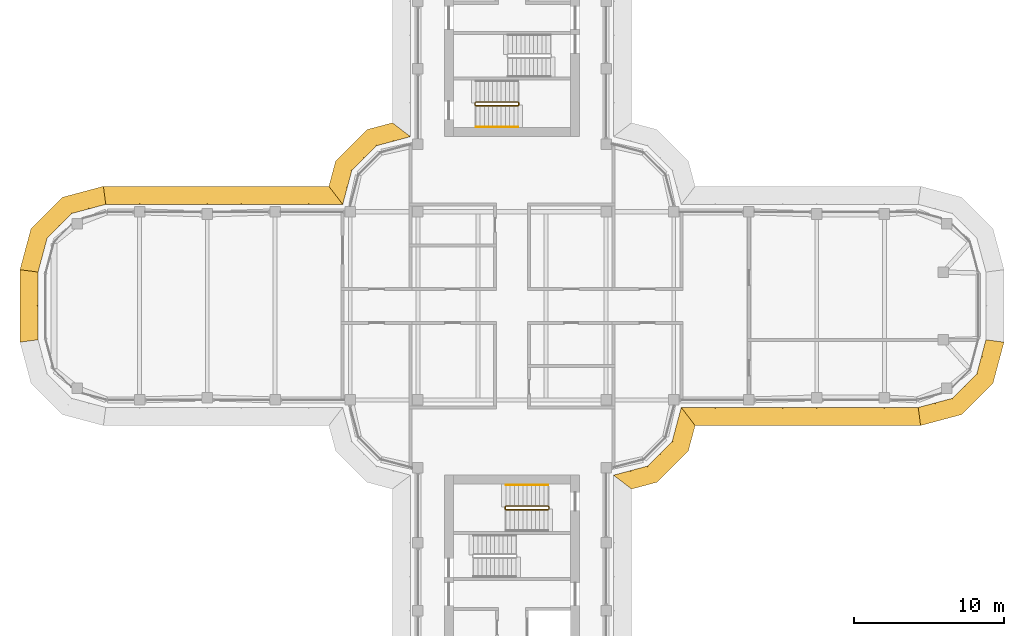
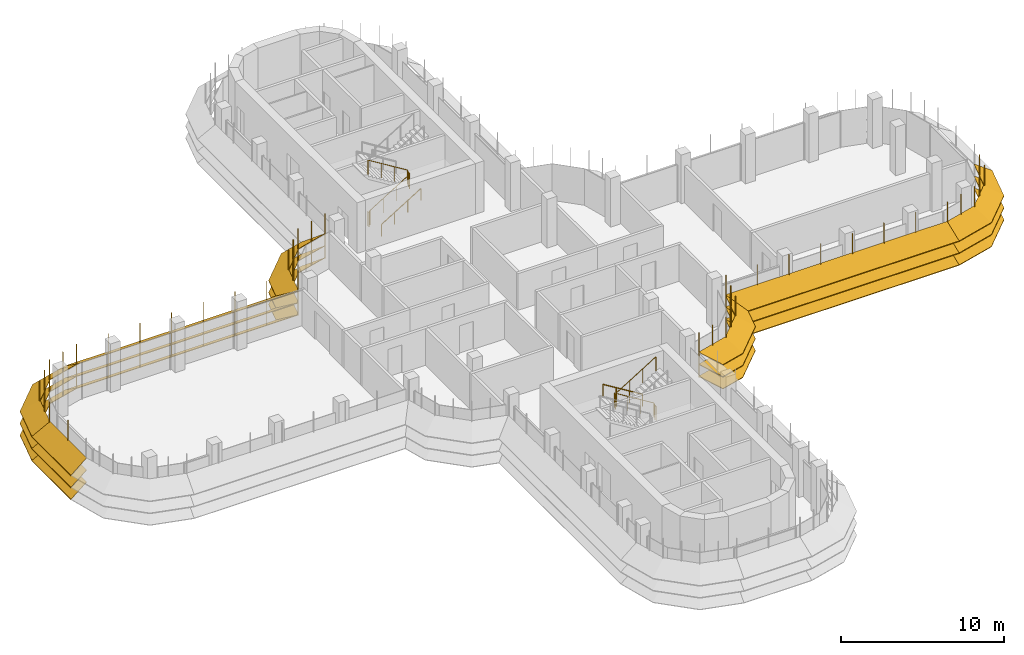
# One storey, part 17 of 19: 7 shading devices, 4 railings.
"""IFC4 building model written with IfcOpenShell, lengths in metres."""

from ifc_helpers import new_model, si_unit, direction, frame, origin, origin_2d, place, context, subcontext, project, spatial, polyline, circle, outline, extrude, faceted_brep, source, transform, mapped, material, type_object, element, save


model = new_model("IFC4")

# Units and contexts
model_context = context("Model", 3, precision=1e-05, world=origin(), true_north=direction((0.0, 1.0)))
body_context = subcontext(model_context, "Body", "Model", "MODEL_VIEW")
ifc_project = project(units=[si_unit("LENGTHUNIT", "METRE"), si_unit("AREAUNIT", "SQUARE_METRE"), si_unit("VOLUMEUNIT", "CUBIC_METRE"), si_unit("PLANEANGLEUNIT", "RADIAN"), si_unit("MASSUNIT", "GRAM", prefix="KILO")], contexts=[model_context])

# Site, building, storey
site_placement = place(None, origin())
site = spatial("IfcSite", under=ifc_project, at=site_placement, CompositionType="ELEMENT")
building_placement = place(site_placement, origin())
building = spatial("IfcBuilding", under=site, at=building_placement, Name="Zarbagh Exchange Tower", CompositionType="ELEMENT")
storey_placement = place(building_placement, frame((0.0, 0.0, 225.800048828125)))
storey = spatial("IfcBuildingStorey", under=building, at=storey_placement, Name="L55", CompositionType="ELEMENT", Elevation=225.800048828125)

# Railings
ifc_material_1 = material(Name="Stainless steel", Category="steel")
railing_type_1 = type_object("IfcRailingType", Name="Stair guard 1100 mm", PredefinedType="GUARDRAIL", material=ifc_material_1)
railing_1_placement = place(storey_placement, frame((-2.449951171875, 13.5, 0.0)))
element("IfcRailing", 1, at=railing_1_placement, inside=storey, type_object=railing_type_1, Name="ST2 stair guard 1", PredefinedType="GUARDRAIL", context=body_context, shape_type="SweptSolid", body=[
    extrude(circle(Radius=0.02392578125, at=origin_2d()), frame((0.0, 0.0, 1.076171875), z_axis=(0.0, -1.0, 0.0), x_axis=(1.0, 0.0, 0.0)), (0.0, 0.0, 1.0), 0.14990234375),
    extrude(circle(Radius=0.02392578125, at=origin_2d()), frame((0.0, -0.14990234375, 1.076171875), z_axis=(0.268277960024, -0.268277960024, 0.925231793839), x_axis=(0.707106781187, 0.707106781187, 0.0)), (0.0, 0.0, 1.0), 0.1865234375),
    extrude(circle(Radius=0.02392578125, at=origin_2d()), frame((0.050048828125, -0.199951171875, 1.24853515625), z_axis=(0.851069175582, 0.0, 0.525053576669), x_axis=(0.0, 1.0, 0.0)), (0.0, 0.0, 1.0), 3.289794921875),
    extrude(circle(Radius=0.02392578125, at=origin_2d()), frame((2.849853515625, -0.199951171875, 2.97607421875), z_axis=(0.707106781187, 0.707106781187, 0.0), x_axis=(-0.707106781187, 0.707106781187, 0.0)), (0.0, 0.0, 1.0), 0.07080078125),
    extrude(circle(Radius=0.02392578125, at=origin_2d()), frame((2.89990234375, -0.14990234375, 2.97607421875), z_axis=(0.0, 1.0, 0.0), x_axis=(-1.0, 0.0, 0.0)), (0.0, 0.0, 1.0), 0.14990234375),
    extrude(circle(Radius=0.02392578125, at=origin_2d()), frame((2.89990234375, 0.0, 2.97607421875), z_axis=(-0.267953482034, 0.267953482034, 0.925419830635), x_axis=(-0.707106781187, -0.707106781187, 0.0)), (0.0, 0.0, 1.0), 0.186767578125),
    extrude(circle(Radius=0.02392578125, at=origin_2d()), frame((2.849853515625, 0.050048828125, 3.14892578125), z_axis=(-0.851069175582, 0.0, 0.525053576669), x_axis=(0.0, -1.0, 0.0)), (0.0, 0.0, 1.0), 3.289794921875),
    extrude(circle(Radius=0.02099609375, at=origin_2d()), origin(), (0.0, 0.0, 1.0), 1.052001953125),
    extrude(circle(Radius=0.02099609375, at=origin_2d()), frame((0.0, -0.14990234375, 0.0)), (0.0, 0.0, 1.0), 1.052001953125),
    extrude(circle(Radius=0.02099609375, at=origin_2d()), frame((0.050048828125, -0.199951171875, 0.172607421875)), (0.0, 0.0, 1.0), 1.052001953125),
    extrude(circle(Radius=0.02099609375, at=origin_2d()), frame((0.9833984375, -0.199951171875, 0.748291015625)), (0.0, 0.0, 1.0), 1.052001953125),
    extrude(circle(Radius=0.02099609375, at=origin_2d()), frame((1.91650390625, -0.199951171875, 1.32421875)), (0.0, 0.0, 1.0), 1.052001953125),
    extrude(circle(Radius=0.02099609375, at=origin_2d()), frame((2.849853515625, -0.199951171875, 1.89990234375)), (0.0, 0.0, 1.0), 1.052001953125),
    extrude(circle(Radius=0.02099609375, at=origin_2d()), frame((2.89990234375, -0.14990234375, 1.89990234375)), (0.0, 0.0, 1.0), 1.052001953125),
    extrude(circle(Radius=0.02099609375, at=origin_2d()), frame((2.89990234375, 0.0, 1.89990234375)), (0.0, 0.0, 1.0), 1.052001953125),
    extrude(circle(Radius=0.02099609375, at=origin_2d()), frame((2.849853515625, 0.050048828125, 2.07275390625)), (0.0, 0.0, 1.0), 1.052001953125),
    extrude(circle(Radius=0.02099609375, at=origin_2d()), frame((1.91650390625, 0.050048828125, 2.6484375)), (0.0, 0.0, 1.0), 1.052001953125),
    extrude(circle(Radius=0.02099609375, at=origin_2d()), frame((0.9833984375, 0.050048828125, 3.224365234375)), (0.0, 0.0, 1.0), 1.052001953125),
    extrude(circle(Radius=0.02099609375, at=origin_2d()), frame((0.050048828125, 0.050048828125, 3.800048828125)), (0.0, 0.0, 1.0), 1.052001953125),
])
railing_2_placement = place(storey_placement, frame((2.449951171875, -13.5, 0.0)))
element("IfcRailing", 2, at=railing_2_placement, inside=storey, type_object=railing_type_1, Name="ST4 stair guard 1", PredefinedType="GUARDRAIL", context=body_context, shape_type="SweptSolid", body=[
    extrude(circle(Radius=0.02392578125, at=origin_2d()), frame((0.0, 0.0, 1.076171875), z_axis=(0.0, 1.0, 0.0), x_axis=(-1.0, 0.0, 0.0)), (0.0, 0.0, 1.0), 0.14990234375),
    extrude(circle(Radius=0.02392578125, at=origin_2d()), frame((0.0, 0.14990234375, 1.076171875), z_axis=(-0.268277960024, 0.268277960024, 0.925231793839), x_axis=(-0.707106781187, -0.707106781187, 0.0)), (0.0, 0.0, 1.0), 0.1865234375),
    extrude(circle(Radius=0.02392578125, at=origin_2d()), frame((-0.050048828125, 0.199951171875, 1.24853515625), z_axis=(-0.851069175582, 0.0, 0.525053576669), x_axis=(0.0, -1.0, 0.0)), (0.0, 0.0, 1.0), 3.289794921875),
    extrude(circle(Radius=0.02392578125, at=origin_2d()), frame((-2.849853515625, 0.199951171875, 2.97607421875), z_axis=(-0.707106781187, -0.707106781187, 0.0), x_axis=(0.707106781187, -0.707106781187, 0.0)), (0.0, 0.0, 1.0), 0.07080078125),
    extrude(circle(Radius=0.02392578125, at=origin_2d()), frame((-2.89990234375, 0.14990234375, 2.97607421875), z_axis=(0.0, -1.0, 0.0), x_axis=(1.0, 0.0, 0.0)), (0.0, 0.0, 1.0), 0.14990234375),
    extrude(circle(Radius=0.02392578125, at=origin_2d()), frame((-2.89990234375, 0.0, 2.97607421875), z_axis=(0.267953482034, -0.267953482034, 0.925419830635), x_axis=(0.707106781187, 0.707106781187, 0.0)), (0.0, 0.0, 1.0), 0.186767578125),
    extrude(circle(Radius=0.02392578125, at=origin_2d()), frame((-2.849853515625, -0.050048828125, 3.14892578125), z_axis=(0.851069175582, 0.0, 0.525053576669), x_axis=(0.0, 1.0, 0.0)), (0.0, 0.0, 1.0), 3.289794921875),
    extrude(circle(Radius=0.02099609375, at=origin_2d()), origin(), (0.0, 0.0, 1.0), 1.052001953125),
    extrude(circle(Radius=0.02099609375, at=origin_2d()), frame((0.0, 0.14990234375, 0.0)), (0.0, 0.0, 1.0), 1.052001953125),
    extrude(circle(Radius=0.02099609375, at=origin_2d()), frame((-0.050048828125, 0.199951171875, 0.172607421875)), (0.0, 0.0, 1.0), 1.052001953125),
    extrude(circle(Radius=0.02099609375, at=origin_2d()), frame((-0.9833984375, 0.199951171875, 0.748291015625)), (0.0, 0.0, 1.0), 1.052001953125),
    extrude(circle(Radius=0.02099609375, at=origin_2d()), frame((-1.91650390625, 0.199951171875, 1.32421875)), (0.0, 0.0, 1.0), 1.052001953125),
    extrude(circle(Radius=0.02099609375, at=origin_2d()), frame((-2.849853515625, 0.199951171875, 1.89990234375)), (0.0, 0.0, 1.0), 1.052001953125),
    extrude(circle(Radius=0.02099609375, at=origin_2d()), frame((-2.89990234375, 0.14990234375, 1.89990234375)), (0.0, 0.0, 1.0), 1.052001953125),
    extrude(circle(Radius=0.02099609375, at=origin_2d()), frame((-2.89990234375, 0.0, 1.89990234375)), (0.0, 0.0, 1.0), 1.052001953125),
    extrude(circle(Radius=0.02099609375, at=origin_2d()), frame((-2.849853515625, -0.050048828125, 2.07275390625)), (0.0, 0.0, 1.0), 1.052001953125),
    extrude(circle(Radius=0.02099609375, at=origin_2d()), frame((-1.91650390625, -0.050048828125, 2.6484375)), (0.0, 0.0, 1.0), 1.052001953125),
    extrude(circle(Radius=0.02099609375, at=origin_2d()), frame((-0.9833984375, -0.050048828125, 3.224365234375)), (0.0, 0.0, 1.0), 1.052001953125),
    extrude(circle(Radius=0.02099609375, at=origin_2d()), frame((-0.050048828125, -0.050048828125, 3.800048828125)), (0.0, 0.0, 1.0), 1.052001953125),
])
railing_type_2 = type_object("IfcRailingType", Name="Stair handrail 900 mm", PredefinedType="HANDRAIL", material=ifc_material_1)
railing_3_placement = place(storey_placement, frame((-2.39990234375, 11.89990234375, 0.172607421875)))
element("IfcRailing", 3, at=railing_3_placement, inside=storey, type_object=railing_type_2, Name="ST2 stair handrail 1", PredefinedType="HANDRAIL", context=body_context, shape_type="SweptSolid", body=[
    extrude(circle(Radius=0.02392578125, at=origin_2d()), frame((0.0, 0.0, 0.8759765625), z_axis=(0.851069175582, 0.0, 0.525053576669), x_axis=(0.0, 1.0, 0.0)), (0.0, 0.0, 1.0), 3.289794921875),
    extrude(circle(Radius=0.02099609375, at=origin_2d()), origin(), (0.0, 0.0, 1.0), 0.851806640625),
    extrude(circle(Radius=0.02099609375, at=origin_2d()), frame((0.933349609375, 0.0, 0.57568359375)), (0.0, 0.0, 1.0), 0.851806640625),
    extrude(circle(Radius=0.02099609375, at=origin_2d()), frame((1.866455078125, 0.0, 1.151611328125)), (0.0, 0.0, 1.0), 0.851806640625),
    extrude(circle(Radius=0.02099609375, at=origin_2d()), frame((2.7998046875, 0.0, 1.727294921875)), (0.0, 0.0, 1.0), 0.851806640625),
])
railing_4_placement = place(storey_placement, frame((2.39990234375, -11.89990234375, 0.172607421875)))
element("IfcRailing", 4, at=railing_4_placement, inside=storey, type_object=railing_type_2, Name="ST4 stair handrail 1", PredefinedType="HANDRAIL", context=body_context, shape_type="SweptSolid", body=[
    extrude(circle(Radius=0.02392578125, at=origin_2d()), frame((0.0, 0.0, 0.8759765625), z_axis=(-0.851069175582, 0.0, 0.525053576669), x_axis=(0.0, -1.0, 0.0)), (0.0, 0.0, 1.0), 3.289794921875),
    extrude(circle(Radius=0.02099609375, at=origin_2d()), origin(), (0.0, 0.0, 1.0), 0.851806640625),
    extrude(circle(Radius=0.02099609375, at=origin_2d()), frame((-0.933349609375, 0.0, 0.57568359375)), (0.0, 0.0, 1.0), 0.851806640625),
    extrude(circle(Radius=0.02099609375, at=origin_2d()), frame((-1.866455078125, 0.0, 1.151611328125)), (0.0, 0.0, 1.0), 0.851806640625),
    extrude(circle(Radius=0.02099609375, at=origin_2d()), frame((-2.7998046875, 0.0, 1.727294921875)), (0.0, 0.0, 1.0), 0.851806640625),
])

# Shading devices
ifc_material_2 = material(Name="Anodised aluminium blades and brackets", Category="aluminium")
shading_device_type = type_object("IfcShadingDeviceType", Name="SUNSHADE louvre band, 33.75 degree blades", PredefinedType="JALOUSIE", material=ifc_material_2)
shared_shape_1 = source(origin(), body_context, "Body", "Brep", [
    faceted_brep([(0.0, 0.0, 0.0), (0.0, 0.0, -0.048095703125), (-0.157958984375, -1.199951171875, -0.849853515625), (-0.157958984375, -1.199951171875, -0.8017578125), (2.65087890625, -1.199951171875, -0.8017578125), (2.65087890625, -1.199951171875, -0.849853515625), (2.329345703125, 0.0, -0.048095703125), (2.329345703125, 0.0, 0.0)], [[[0, 1, 2, 3]], [[4, 5, 6, 7]], [[0, 7, 6, 1]], [[1, 6, 5, 2]], [[2, 5, 4, 3]], [[3, 4, 7, 0]]]),
])
shared_shape_2 = source(origin(), body_context, "Body", "Brep", [
    faceted_brep([(0.0, 0.0, 0.0), (0.0, 0.0, -0.048095703125), (-0.321533203125, -1.199951171875, -0.849853515625), (-0.321533203125, -1.199951171875, -0.8017578125), (2.65087890625, -1.199951171875, -0.8017578125), (2.65087890625, -1.199951171875, -0.849853515625), (2.329345703125, 0.0, -0.048095703125), (2.329345703125, 0.0, 0.0)], [[[0, 1, 2, 3]], [[4, 5, 6, 7]], [[0, 7, 6, 1]], [[1, 6, 5, 2]], [[2, 5, 4, 3]], [[3, 4, 7, 0]]]),
])
shared_shape_3 = source(origin(), body_context, "Body", "Brep", [
    faceted_brep([(0.0, 0.0, 0.0), (0.0, 0.0, -0.048095703125), (-0.321533203125, -1.199951171875, -0.849853515625), (-0.321533203125, -1.199951171875, -0.8017578125), (2.4873046875, -1.199951171875, -0.8017578125), (2.4873046875, -1.199951171875, -0.849853515625), (2.329345703125, 0.0, -0.048095703125), (2.329345703125, 0.0, 0.0)], [[[0, 1, 2, 3]], [[4, 5, 6, 7]], [[0, 7, 6, 1]], [[1, 6, 5, 2]], [[2, 5, 4, 3]], [[3, 4, 7, 0]]]),
])
shared_shape_4 = source(origin(), body_context, "Body", "SweptSolid", [
    extrude(outline(polyline([(0.0, -0.012451171875), (0.06005859375, -0.012451171875), (0.06005859375, 0.012451171875), (0.0, 0.012451171875), (0.0, -0.012451171875)])), origin(), (0.0, 0.0, 1.0), 3.358154296875),
])
placement = place(storey_placement, origin())
element("IfcShadingDevice", 5, at=placement, inside=storey, type_object=shading_device_type, Name="SS31 sunshade band", PredefinedType="JALOUSIE", context=body_context, shape_type="MappedRepresentation", body=[
    mapped(shared_shape_1, transform((27.0, -6.75, 2.300048828125), x_axis=(0.965924289636, 0.258824779902, 0.0), y_axis=(-0.258824779902, 0.965924289636, 0.0), z_axis=(0.0, 0.0, 1.0))),
    mapped(shared_shape_1, transform((27.0, -6.75, 1.39990234375), x_axis=(0.965924289636, 0.258824779902, 0.0), y_axis=(-0.258824779902, 0.965924289636, 0.0), z_axis=(0.0, 0.0, 1.0))),
    mapped(shared_shape_1, transform((27.0, -6.75, 0.5), x_axis=(0.965924289636, 0.258824779902, 0.0), y_axis=(-0.258824779902, 0.965924289636, 0.0), z_axis=(0.0, 0.0, 1.0))),
    mapped(shared_shape_2, transform((29.25, -6.147216796875, 2.300048828125), x_axis=(0.707106781187, 0.707106781187, 0.0), y_axis=(-0.707106781187, 0.707106781187, 0.0), z_axis=(0.0, 0.0, 1.0))),
    mapped(shared_shape_2, transform((29.25, -6.147216796875, 1.39990234375), x_axis=(0.707106781187, 0.707106781187, 0.0), y_axis=(-0.707106781187, 0.707106781187, 0.0), z_axis=(0.0, 0.0, 1.0))),
    mapped(shared_shape_2, transform((29.25, -6.147216796875, 0.5), x_axis=(0.707106781187, 0.707106781187, 0.0), y_axis=(-0.707106781187, 0.707106781187, 0.0), z_axis=(0.0, 0.0, 1.0))),
    mapped(shared_shape_3, transform((30.897216796875, -4.5, 2.300048828125), x_axis=(0.258824779902, 0.965924289636, 0.0), y_axis=(-0.965924289636, 0.258824779902, 0.0), z_axis=(0.0, 0.0, 1.0))),
    mapped(shared_shape_3, transform((30.897216796875, -4.5, 1.39990234375), x_axis=(0.258824779902, 0.965924289636, 0.0), y_axis=(-0.965924289636, 0.258824779902, 0.0), z_axis=(0.0, 0.0, 1.0))),
    mapped(shared_shape_3, transform((30.897216796875, -4.5, 0.5), x_axis=(0.258824779902, 0.965924289636, 0.0), y_axis=(-0.965924289636, 0.258824779902, 0.0), z_axis=(0.0, 0.0, 1.0))),
    mapped(shared_shape_4, transform((27.0, -6.75, 0.421875), x_axis=(0.130529263012, -0.991444457092, 0.0), y_axis=(0.991444457092, 0.130529263012, 0.0), z_axis=(0.0, 0.0, 1.0))),
    mapped(shared_shape_4, transform((28.125, -6.448486328125, 0.421875), x_axis=(0.258825058029, -0.96592421511, 0.0), y_axis=(0.96592421511, 0.258825058029, 0.0), z_axis=(0.0, 0.0, 1.0))),
    mapped(shared_shape_4, transform((29.25, -6.147216796875, 0.421875), x_axis=(0.50000275701, -0.866023812018, 0.0), y_axis=(0.866023812018, 0.50000275701, 0.0), z_axis=(0.0, 0.0, 1.0))),
    mapped(shared_shape_4, transform((30.073486328125, -5.323486328125, 0.421875), x_axis=(0.707106781187, -0.707106781187, 0.0), y_axis=(0.707106781187, 0.707106781187, 0.0), z_axis=(0.0, 0.0, 1.0))),
    mapped(shared_shape_4, transform((30.897216796875, -4.5, 0.421875), x_axis=(0.866023812018, -0.50000275701, 0.0), y_axis=(0.50000275701, 0.866023812018, 0.0), z_axis=(0.0, 0.0, 1.0))),
    mapped(shared_shape_4, transform((31.198486328125, -3.375, 0.421875), x_axis=(0.96592421511, -0.258825058029, 0.0), y_axis=(0.258825058029, 0.96592421511, 0.0), z_axis=(0.0, 0.0, 1.0))),
])
element("IfcShadingDevice", 6, at=placement, inside=storey, type_object=shading_device_type, Name="SS41 sunshade band", PredefinedType="JALOUSIE", context=body_context, shape_type="MappedRepresentation", body=[
    mapped(shared_shape_1, transform((-27.0, 6.75, 2.300048828125), x_axis=(-0.965924289636, -0.258824779902, 0.0), y_axis=(0.258824779902, -0.965924289636, 0.0), z_axis=(0.0, 0.0, 1.0))),
    mapped(shared_shape_1, transform((-27.0, 6.75, 1.39990234375), x_axis=(-0.965924289636, -0.258824779902, 0.0), y_axis=(0.258824779902, -0.965924289636, 0.0), z_axis=(0.0, 0.0, 1.0))),
    mapped(shared_shape_1, transform((-27.0, 6.75, 0.5), x_axis=(-0.965924289636, -0.258824779902, 0.0), y_axis=(0.258824779902, -0.965924289636, 0.0), z_axis=(0.0, 0.0, 1.0))),
    mapped(shared_shape_2, transform((-29.25, 6.147216796875, 2.300048828125), x_axis=(-0.707106781187, -0.707106781187, 0.0), y_axis=(0.707106781187, -0.707106781187, 0.0), z_axis=(0.0, 0.0, 1.0))),
    mapped(shared_shape_2, transform((-29.25, 6.147216796875, 1.39990234375), x_axis=(-0.707106781187, -0.707106781187, 0.0), y_axis=(0.707106781187, -0.707106781187, 0.0), z_axis=(0.0, 0.0, 1.0))),
    mapped(shared_shape_2, transform((-29.25, 6.147216796875, 0.5), x_axis=(-0.707106781187, -0.707106781187, 0.0), y_axis=(0.707106781187, -0.707106781187, 0.0), z_axis=(0.0, 0.0, 1.0))),
    mapped(shared_shape_3, transform((-30.897216796875, 4.5, 2.300048828125), x_axis=(-0.258824779902, -0.965924289636, 0.0), y_axis=(0.965924289636, -0.258824779902, 0.0), z_axis=(0.0, 0.0, 1.0))),
    mapped(shared_shape_3, transform((-30.897216796875, 4.5, 1.39990234375), x_axis=(-0.258824779902, -0.965924289636, 0.0), y_axis=(0.965924289636, -0.258824779902, 0.0), z_axis=(0.0, 0.0, 1.0))),
    mapped(shared_shape_3, transform((-30.897216796875, 4.5, 0.5), x_axis=(-0.258824779902, -0.965924289636, 0.0), y_axis=(0.965924289636, -0.258824779902, 0.0), z_axis=(0.0, 0.0, 1.0))),
    mapped(shared_shape_4, transform((-27.0, 6.75, 0.421875), x_axis=(-0.130529263012, 0.991444457092, 0.0), y_axis=(-0.991444457092, -0.130529263012, 0.0), z_axis=(0.0, 0.0, 1.0))),
    mapped(shared_shape_4, transform((-28.125, 6.448486328125, 0.421875), x_axis=(-0.258825058029, 0.96592421511, 0.0), y_axis=(-0.96592421511, -0.258825058029, 0.0), z_axis=(0.0, 0.0, 1.0))),
    mapped(shared_shape_4, transform((-29.25, 6.147216796875, 0.421875), x_axis=(-0.50000275701, 0.866023812018, 0.0), y_axis=(-0.866023812018, -0.50000275701, 0.0), z_axis=(0.0, 0.0, 1.0))),
    mapped(shared_shape_4, transform((-30.073486328125, 5.323486328125, 0.421875), x_axis=(-0.707106781187, 0.707106781187, 0.0), y_axis=(-0.707106781187, -0.707106781187, 0.0), z_axis=(0.0, 0.0, 1.0))),
    mapped(shared_shape_4, transform((-30.897216796875, 4.5, 0.421875), x_axis=(-0.866023812018, 0.50000275701, 0.0), y_axis=(-0.50000275701, -0.866023812018, 0.0), z_axis=(0.0, 0.0, 1.0))),
    mapped(shared_shape_4, transform((-31.198486328125, 3.375, 0.421875), x_axis=(-0.96592421511, 0.258825058029, 0.0), y_axis=(-0.258825058029, -0.96592421511, 0.0), z_axis=(0.0, 0.0, 1.0))),
])
shared_shape_5 = source(origin(), body_context, "Body", "Brep", [
    faceted_brep([(0.0, 0.0, 0.0), (0.0, 0.0, -0.048095703125), (0.9208984375, -1.199951171875, -0.849853515625), (0.9208984375, -1.199951171875, -0.8017578125), (2.65087890625, -1.199951171875, -0.8017578125), (2.65087890625, -1.199951171875, -0.849853515625), (2.329345703125, 0.0, -0.048095703125), (2.329345703125, 0.0, 0.0)], [[[0, 1, 2, 3]], [[4, 5, 6, 7]], [[0, 7, 6, 1]], [[1, 6, 5, 2]], [[2, 5, 4, 3]], [[3, 4, 7, 0]]]),
])
shared_shape_6 = source(origin(), body_context, "Body", "Brep", [
    faceted_brep([(0.0, 0.0, 0.0), (0.0, 0.0, -0.048095703125), (-0.321533203125, -1.199951171875, -0.849853515625), (-0.321533203125, -1.199951171875, -0.8017578125), (1.40869140625, -1.199951171875, -0.8017578125), (1.40869140625, -1.199951171875, -0.849853515625), (2.329345703125, 0.0, -0.048095703125), (2.329345703125, 0.0, 0.0)], [[[0, 1, 2, 3]], [[4, 5, 6, 7]], [[0, 7, 6, 1]], [[1, 6, 5, 2]], [[2, 5, 4, 3]], [[3, 4, 7, 0]]]),
])
element("IfcShadingDevice", 7, at=placement, inside=storey, type_object=shading_device_type, Name="SS03 sunshade band", PredefinedType="JALOUSIE", context=body_context, shape_type="MappedRepresentation", body=[
    mapped(shared_shape_5, transform((6.75, -11.25, 2.300048828125), x_axis=(0.965924289636, 0.258824779902, 0.0), y_axis=(-0.258824779902, 0.965924289636, 0.0), z_axis=(0.0, 0.0, 1.0))),
    mapped(shared_shape_5, transform((6.75, -11.25, 1.39990234375), x_axis=(0.965924289636, 0.258824779902, 0.0), y_axis=(-0.258824779902, 0.965924289636, 0.0), z_axis=(0.0, 0.0, 1.0))),
    mapped(shared_shape_5, transform((6.75, -11.25, 0.5), x_axis=(0.965924289636, 0.258824779902, 0.0), y_axis=(-0.258824779902, 0.965924289636, 0.0), z_axis=(0.0, 0.0, 1.0))),
    mapped(shared_shape_2, transform((9.0, -10.647216796875, 2.300048828125), x_axis=(0.707106781187, 0.707106781187, 0.0), y_axis=(-0.707106781187, 0.707106781187, 0.0), z_axis=(0.0, 0.0, 1.0))),
    mapped(shared_shape_2, transform((9.0, -10.647216796875, 1.39990234375), x_axis=(0.707106781187, 0.707106781187, 0.0), y_axis=(-0.707106781187, 0.707106781187, 0.0), z_axis=(0.0, 0.0, 1.0))),
    mapped(shared_shape_2, transform((9.0, -10.647216796875, 0.5), x_axis=(0.707106781187, 0.707106781187, 0.0), y_axis=(-0.707106781187, 0.707106781187, 0.0), z_axis=(0.0, 0.0, 1.0))),
    mapped(shared_shape_6, transform((10.647216796875, -9.0, 2.300048828125), x_axis=(0.258824779902, 0.965924289636, 0.0), y_axis=(-0.965924289636, 0.258824779902, 0.0), z_axis=(0.0, 0.0, 1.0))),
    mapped(shared_shape_6, transform((10.647216796875, -9.0, 1.39990234375), x_axis=(0.258824779902, 0.965924289636, 0.0), y_axis=(-0.965924289636, 0.258824779902, 0.0), z_axis=(0.0, 0.0, 1.0))),
    mapped(shared_shape_6, transform((10.647216796875, -9.0, 0.5), x_axis=(0.258824779902, 0.965924289636, 0.0), y_axis=(-0.965924289636, 0.258824779902, 0.0), z_axis=(0.0, 0.0, 1.0))),
    mapped(shared_shape_4, transform((6.75, -11.25, 0.421875), x_axis=(0.793355287, -0.608758892, 0.0), y_axis=(0.608758892, 0.793355287, 0.0), z_axis=(0.0, 0.0, 1.0))),
    mapped(shared_shape_4, transform((7.875, -10.948486328125, 0.421875), x_axis=(0.258825058029, -0.96592421511, 0.0), y_axis=(0.96592421511, 0.258825058029, 0.0), z_axis=(0.0, 0.0, 1.0))),
    mapped(shared_shape_4, transform((9.0, -10.647216796875, 0.421875), x_axis=(0.50000275701, -0.866023812018, 0.0), y_axis=(0.866023812018, 0.50000275701, 0.0), z_axis=(0.0, 0.0, 1.0))),
    mapped(shared_shape_4, transform((9.823486328125, -9.823486328125, 0.421875), x_axis=(0.707106781187, -0.707106781187, 0.0), y_axis=(0.707106781187, 0.707106781187, 0.0), z_axis=(0.0, 0.0, 1.0))),
    mapped(shared_shape_4, transform((10.647216796875, -9.0, 0.421875), x_axis=(0.866023812018, -0.50000275701, 0.0), y_axis=(0.50000275701, 0.866023812018, 0.0), z_axis=(0.0, 0.0, 1.0))),
    mapped(shared_shape_4, transform((10.948486328125, -7.875, 0.421875), x_axis=(0.96592421511, -0.258825058029, 0.0), y_axis=(0.258825058029, 0.96592421511, 0.0), z_axis=(0.0, 0.0, 1.0))),
])
element("IfcShadingDevice", 8, at=placement, inside=storey, type_object=shading_device_type, Name="SS15 sunshade band", PredefinedType="JALOUSIE", context=body_context, shape_type="MappedRepresentation", body=[
    mapped(shared_shape_5, transform((-6.75, 11.25, 2.300048828125), x_axis=(-0.965924289636, -0.258824779902, 0.0), y_axis=(0.258824779902, -0.965924289636, 0.0), z_axis=(0.0, 0.0, 1.0))),
    mapped(shared_shape_5, transform((-6.75, 11.25, 1.39990234375), x_axis=(-0.965924289636, -0.258824779902, 0.0), y_axis=(0.258824779902, -0.965924289636, 0.0), z_axis=(0.0, 0.0, 1.0))),
    mapped(shared_shape_5, transform((-6.75, 11.25, 0.5), x_axis=(-0.965924289636, -0.258824779902, 0.0), y_axis=(0.258824779902, -0.965924289636, 0.0), z_axis=(0.0, 0.0, 1.0))),
    mapped(shared_shape_2, transform((-9.0, 10.647216796875, 2.300048828125), x_axis=(-0.707106781187, -0.707106781187, 0.0), y_axis=(0.707106781187, -0.707106781187, 0.0), z_axis=(0.0, 0.0, 1.0))),
    mapped(shared_shape_2, transform((-9.0, 10.647216796875, 1.39990234375), x_axis=(-0.707106781187, -0.707106781187, 0.0), y_axis=(0.707106781187, -0.707106781187, 0.0), z_axis=(0.0, 0.0, 1.0))),
    mapped(shared_shape_2, transform((-9.0, 10.647216796875, 0.5), x_axis=(-0.707106781187, -0.707106781187, 0.0), y_axis=(0.707106781187, -0.707106781187, 0.0), z_axis=(0.0, 0.0, 1.0))),
    mapped(shared_shape_6, transform((-10.647216796875, 9.0, 2.300048828125), x_axis=(-0.258824779902, -0.965924289636, 0.0), y_axis=(0.965924289636, -0.258824779902, 0.0), z_axis=(0.0, 0.0, 1.0))),
    mapped(shared_shape_6, transform((-10.647216796875, 9.0, 1.39990234375), x_axis=(-0.258824779902, -0.965924289636, 0.0), y_axis=(0.965924289636, -0.258824779902, 0.0), z_axis=(0.0, 0.0, 1.0))),
    mapped(shared_shape_6, transform((-10.647216796875, 9.0, 0.5), x_axis=(-0.258824779902, -0.965924289636, 0.0), y_axis=(0.965924289636, -0.258824779902, 0.0), z_axis=(0.0, 0.0, 1.0))),
    mapped(shared_shape_4, transform((-6.75, 11.25, 0.421875), x_axis=(-0.793355287, 0.608758892, 0.0), y_axis=(-0.608758892, -0.793355287, 0.0), z_axis=(0.0, 0.0, 1.0))),
    mapped(shared_shape_4, transform((-7.875, 10.948486328125, 0.421875), x_axis=(-0.258825058029, 0.96592421511, 0.0), y_axis=(-0.96592421511, -0.258825058029, 0.0), z_axis=(0.0, 0.0, 1.0))),
    mapped(shared_shape_4, transform((-9.0, 10.647216796875, 0.421875), x_axis=(-0.50000275701, 0.866023812018, 0.0), y_axis=(-0.866023812018, -0.50000275701, 0.0), z_axis=(0.0, 0.0, 1.0))),
    mapped(shared_shape_4, transform((-9.823486328125, 9.823486328125, 0.421875), x_axis=(-0.707106781187, 0.707106781187, 0.0), y_axis=(-0.707106781187, -0.707106781187, 0.0), z_axis=(0.0, 0.0, 1.0))),
    mapped(shared_shape_4, transform((-10.647216796875, 9.0, 0.421875), x_axis=(-0.866023812018, 0.50000275701, 0.0), y_axis=(-0.50000275701, -0.866023812018, 0.0), z_axis=(0.0, 0.0, 1.0))),
    mapped(shared_shape_4, transform((-10.948486328125, 7.875, 0.421875), x_axis=(-0.96592421511, 0.258825058029, 0.0), y_axis=(-0.258825058029, -0.96592421511, 0.0), z_axis=(0.0, 0.0, 1.0))),
])
shared_shape_7 = source(origin(), body_context, "Body", "Brep", [
    faceted_brep([(0.0, 0.0, 0.0), (0.0, 0.0, -0.048095703125), (0.9208984375, -1.199951171875, -0.849853515625), (0.9208984375, -1.199951171875, -0.8017578125), (15.907958984375, -1.199951171875, -0.8017578125), (15.907958984375, -1.199951171875, -0.849853515625), (15.75, 0.0, -0.048095703125), (15.75, 0.0, 0.0)], [[[0, 1, 2, 3]], [[4, 5, 6, 7]], [[0, 7, 6, 1]], [[1, 6, 5, 2]], [[2, 5, 4, 3]], [[3, 4, 7, 0]]]),
])
element("IfcShadingDevice", 9, at=placement, inside=storey, type_object=shading_device_type, Name="SS30 sunshade band", PredefinedType="JALOUSIE", context=body_context, shape_type="MappedRepresentation", body=[
    mapped(shared_shape_7, transform((11.25, -6.75, 2.300048828125), x_axis=(1.0, 0.0, 0.0), y_axis=(0.0, 1.0, 0.0), z_axis=(0.0, 0.0, 1.0))),
    mapped(shared_shape_7, transform((11.25, -6.75, 1.39990234375), x_axis=(1.0, 0.0, 0.0), y_axis=(0.0, 1.0, 0.0), z_axis=(0.0, 0.0, 1.0))),
    mapped(shared_shape_7, transform((11.25, -6.75, 0.5), x_axis=(1.0, 0.0, 0.0), y_axis=(0.0, 1.0, 0.0), z_axis=(0.0, 0.0, 1.0))),
    mapped(shared_shape_4, transform((11.25, -6.75, 0.421875), x_axis=(0.608758892, -0.793355287, 0.0), y_axis=(0.793355287, 0.608758892, 0.0), z_axis=(0.0, 0.0, 1.0))),
    mapped(shared_shape_4, transform((13.5, -6.75, 0.421875), x_axis=(0.0, -1.0, 0.0), y_axis=(1.0, 0.0, 0.0), z_axis=(0.0, 0.0, 1.0))),
    mapped(shared_shape_4, transform((15.75, -6.75, 0.421875), x_axis=(0.0, -1.0, 0.0), y_axis=(1.0, 0.0, 0.0), z_axis=(0.0, 0.0, 1.0))),
    mapped(shared_shape_4, transform((18.0, -6.75, 0.421875), x_axis=(0.0, -1.0, 0.0), y_axis=(1.0, 0.0, 0.0), z_axis=(0.0, 0.0, 1.0))),
    mapped(shared_shape_4, transform((20.25, -6.75, 0.421875), x_axis=(0.0, -1.0, 0.0), y_axis=(1.0, 0.0, 0.0), z_axis=(0.0, 0.0, 1.0))),
    mapped(shared_shape_4, transform((22.5, -6.75, 0.421875), x_axis=(0.0, -1.0, 0.0), y_axis=(1.0, 0.0, 0.0), z_axis=(0.0, 0.0, 1.0))),
    mapped(shared_shape_4, transform((24.75, -6.75, 0.421875), x_axis=(0.0, -1.0, 0.0), y_axis=(1.0, 0.0, 0.0), z_axis=(0.0, 0.0, 1.0))),
])
element("IfcShadingDevice", 10, at=placement, inside=storey, type_object=shading_device_type, Name="SS40 sunshade band", PredefinedType="JALOUSIE", context=body_context, shape_type="MappedRepresentation", body=[
    mapped(shared_shape_7, transform((-11.25, 6.75, 2.300048828125), x_axis=(-1.0, 0.0, 0.0), y_axis=(0.0, -1.0, 0.0), z_axis=(0.0, 0.0, 1.0))),
    mapped(shared_shape_7, transform((-11.25, 6.75, 1.39990234375), x_axis=(-1.0, 0.0, 0.0), y_axis=(0.0, -1.0, 0.0), z_axis=(0.0, 0.0, 1.0))),
    mapped(shared_shape_7, transform((-11.25, 6.75, 0.5), x_axis=(-1.0, 0.0, 0.0), y_axis=(0.0, -1.0, 0.0), z_axis=(0.0, 0.0, 1.0))),
    mapped(shared_shape_4, transform((-11.25, 6.75, 0.421875), x_axis=(-0.608758892, 0.793355287, 0.0), y_axis=(-0.793355287, -0.608758892, 0.0), z_axis=(0.0, 0.0, 1.0))),
    mapped(shared_shape_4, transform((-13.5, 6.75, 0.421875), x_axis=(0.0, 1.0, 0.0), y_axis=(-1.0, 0.0, 0.0), z_axis=(0.0, 0.0, 1.0))),
    mapped(shared_shape_4, transform((-15.75, 6.75, 0.421875), x_axis=(0.0, 1.0, 0.0), y_axis=(-1.0, 0.0, 0.0), z_axis=(0.0, 0.0, 1.0))),
    mapped(shared_shape_4, transform((-18.0, 6.75, 0.421875), x_axis=(0.0, 1.0, 0.0), y_axis=(-1.0, 0.0, 0.0), z_axis=(0.0, 0.0, 1.0))),
    mapped(shared_shape_4, transform((-20.25, 6.75, 0.421875), x_axis=(0.0, 1.0, 0.0), y_axis=(-1.0, 0.0, 0.0), z_axis=(0.0, 0.0, 1.0))),
    mapped(shared_shape_4, transform((-22.5, 6.75, 0.421875), x_axis=(0.0, 1.0, 0.0), y_axis=(-1.0, 0.0, 0.0), z_axis=(0.0, 0.0, 1.0))),
    mapped(shared_shape_4, transform((-24.75, 6.75, 0.421875), x_axis=(0.0, 1.0, 0.0), y_axis=(-1.0, 0.0, 0.0), z_axis=(0.0, 0.0, 1.0))),
])
shared_shape_8 = source(origin(), body_context, "Body", "Brep", [
    faceted_brep([(0.0, 0.0, 0.0), (0.0, 0.0, -0.048095703125), (-0.157958984375, -1.199951171875, -0.849853515625), (-0.157958984375, -1.199951171875, -0.8017578125), (4.657958984375, -1.199951171875, -0.8017578125), (4.657958984375, -1.199951171875, -0.849853515625), (4.5, 0.0, -0.048095703125), (4.5, 0.0, 0.0)], [[[0, 1, 2, 3]], [[4, 5, 6, 7]], [[0, 7, 6, 1]], [[1, 6, 5, 2]], [[2, 5, 4, 3]], [[3, 4, 7, 0]]]),
])
element("IfcShadingDevice", 11, at=placement, inside=storey, type_object=shading_device_type, Name="SS42 sunshade band", PredefinedType="JALOUSIE", context=body_context, shape_type="MappedRepresentation", body=[
    mapped(shared_shape_8, transform((-31.5, 2.25, 2.300048828125), x_axis=(0.0, -1.0, 0.0), y_axis=(1.0, 0.0, 0.0), z_axis=(0.0, 0.0, 1.0))),
    mapped(shared_shape_8, transform((-31.5, 2.25, 1.39990234375), x_axis=(0.0, -1.0, 0.0), y_axis=(1.0, 0.0, 0.0), z_axis=(0.0, 0.0, 1.0))),
    mapped(shared_shape_8, transform((-31.5, 2.25, 0.5), x_axis=(0.0, -1.0, 0.0), y_axis=(1.0, 0.0, 0.0), z_axis=(0.0, 0.0, 1.0))),
    mapped(shared_shape_4, transform((-31.5, 2.25, 0.421875), x_axis=(-0.991444457092, 0.130529263012, 0.0), y_axis=(-0.130529263012, -0.991444457092, 0.0), z_axis=(0.0, 0.0, 1.0))),
    mapped(shared_shape_4, transform((-31.5, 0.0, 0.421875), x_axis=(-1.0, 0.0, 0.0), y_axis=(0.0, -1.0, 0.0), z_axis=(0.0, 0.0, 1.0))),
])

save(model, "model.ifc")
